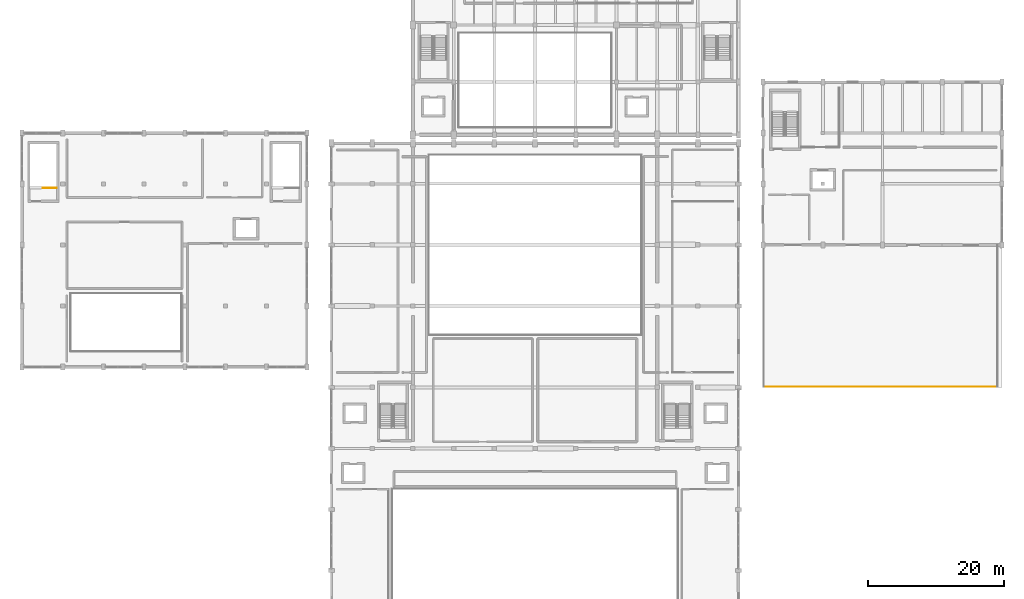
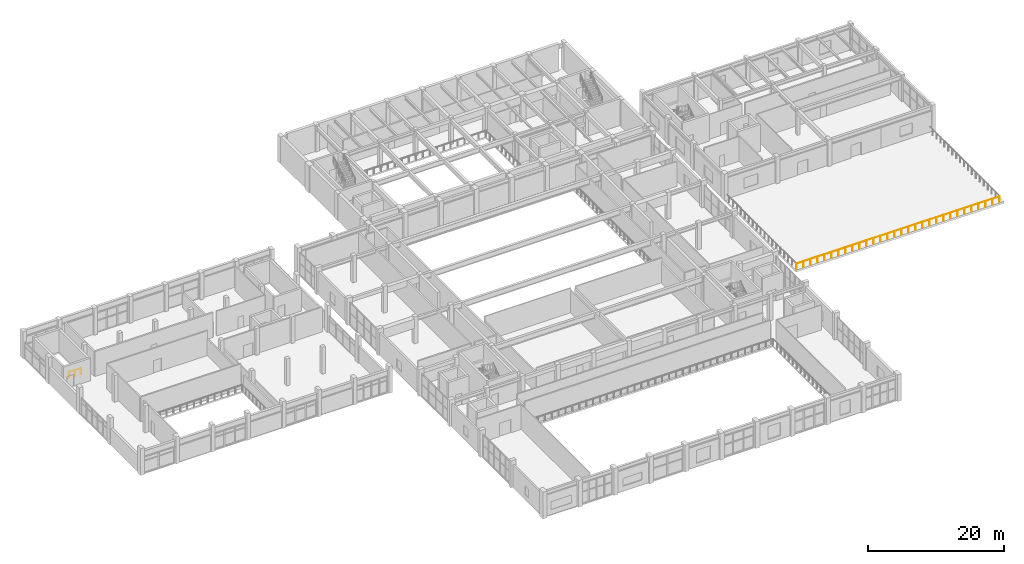
# One storey, part 58 of 62: 2 railings.
"""IFC4 building model written with IfcOpenShell, lengths in metres."""

from ifc_helpers import new_model, si_unit, direction, frame, origin, origin_2d, place, context, subcontext, project, spatial, circle, extrude, material, type_object, element, save


model = new_model("IFC4")

# Units and contexts
model_context = context("Model", 3, precision=1e-05, world=origin(), true_north=direction((0.0, 1.0)))
body_context = subcontext(model_context, "Body", "Model", "MODEL_VIEW")
ifc_project = project(units=[si_unit("LENGTHUNIT", "METRE"), si_unit("AREAUNIT", "SQUARE_METRE"), si_unit("VOLUMEUNIT", "CUBIC_METRE"), si_unit("PLANEANGLEUNIT", "RADIAN"), si_unit("MASSUNIT", "GRAM", prefix="KILO")], contexts=[model_context])

# Site, building, storey
site_placement = place(None, origin())
site = spatial("IfcSite", under=ifc_project, at=site_placement, CompositionType="ELEMENT")
building_placement = place(site_placement, origin())
building = spatial("IfcBuilding", under=site, at=building_placement, Name="Vaelkrest Opera House", CompositionType="ELEMENT")
storey_placement = place(building_placement, frame((0.0, 0.0, 19.800048828125)))
storey = spatial("IfcBuildingStorey", under=building, at=storey_placement, Name="L04", CompositionType="ELEMENT", Elevation=19.800048828125)

# Railings
ifc_material = material(Name="Dark bronze anodized aluminium", Category="aluminium")
railing_type_1 = type_object("IfcRailingType", Name="GR01", PredefinedType="GUARDRAIL", material=ifc_material)
railing_1_placement = place(storey_placement, frame((33.739990234375, -19.699951171875, 0.0)))
element("IfcRailing", 1, at=railing_1_placement, inside=storey, type_object=railing_type_1, Name="L04 Workshop Roof Garden guardrail seg 2", PredefinedType="GUARDRAIL", context=body_context, shape_type="SweptSolid", body=[
    extrude(circle(Radius=0.02392578125, at=origin_2d()), frame((0.0, 0.0, 1.076171875), z_axis=(1.0, 0.0, 0.0), x_axis=(0.0, 1.0, 0.0)), (0.0, 0.0, 1.0), 34.3701171875),
    extrude(circle(Radius=0.02099609375, at=origin_2d()), origin(), (0.0, 0.0, 1.0), 1.052001953125),
    extrude(circle(Radius=0.02099609375, at=origin_2d()), frame((1.18505859375, 0.0, 0.0)), (0.0, 0.0, 1.0), 1.052001953125),
    extrude(circle(Radius=0.02099609375, at=origin_2d()), frame((2.370361328125, 0.0, 0.0)), (0.0, 0.0, 1.0), 1.052001953125),
    extrude(circle(Radius=0.02099609375, at=origin_2d()), frame((3.555419921875, 0.0, 0.0)), (0.0, 0.0, 1.0), 1.052001953125),
    extrude(circle(Radius=0.02099609375, at=origin_2d()), frame((4.74072265625, 0.0, 0.0)), (0.0, 0.0, 1.0), 1.052001953125),
    extrude(circle(Radius=0.02099609375, at=origin_2d()), frame((5.92578125, 0.0, 0.0)), (0.0, 0.0, 1.0), 1.052001953125),
    extrude(circle(Radius=0.02099609375, at=origin_2d()), frame((7.111083984375, 0.0, 0.0)), (0.0, 0.0, 1.0), 1.052001953125),
    extrude(circle(Radius=0.02099609375, at=origin_2d()), frame((8.296142578125, 0.0, 0.0)), (0.0, 0.0, 1.0), 1.052001953125),
    extrude(circle(Radius=0.02099609375, at=origin_2d()), frame((9.4814453125, 0.0, 0.0)), (0.0, 0.0, 1.0), 1.052001953125),
    extrude(circle(Radius=0.02099609375, at=origin_2d()), frame((10.66650390625, 0.0, 0.0)), (0.0, 0.0, 1.0), 1.052001953125),
    extrude(circle(Radius=0.02099609375, at=origin_2d()), frame((11.851806640625, 0.0, 0.0)), (0.0, 0.0, 1.0), 1.052001953125),
    extrude(circle(Radius=0.02099609375, at=origin_2d()), frame((13.036865234375, 0.0, 0.0)), (0.0, 0.0, 1.0), 1.052001953125),
    extrude(circle(Radius=0.02099609375, at=origin_2d()), frame((14.22216796875, 0.0, 0.0)), (0.0, 0.0, 1.0), 1.052001953125),
    extrude(circle(Radius=0.02099609375, at=origin_2d()), frame((15.4072265625, 0.0, 0.0)), (0.0, 0.0, 1.0), 1.052001953125),
    extrude(circle(Radius=0.02099609375, at=origin_2d()), frame((16.592529296875, 0.0, 0.0)), (0.0, 0.0, 1.0), 1.052001953125),
    extrude(circle(Radius=0.02099609375, at=origin_2d()), frame((17.777587890625, 0.0, 0.0)), (0.0, 0.0, 1.0), 1.052001953125),
    extrude(circle(Radius=0.02099609375, at=origin_2d()), frame((18.962890625, 0.0, 0.0)), (0.0, 0.0, 1.0), 1.052001953125),
    extrude(circle(Radius=0.02099609375, at=origin_2d()), frame((20.14794921875, 0.0, 0.0)), (0.0, 0.0, 1.0), 1.052001953125),
    extrude(circle(Radius=0.02099609375, at=origin_2d()), frame((21.333251953125, 0.0, 0.0)), (0.0, 0.0, 1.0), 1.052001953125),
    extrude(circle(Radius=0.02099609375, at=origin_2d()), frame((22.518310546875, 0.0, 0.0)), (0.0, 0.0, 1.0), 1.052001953125),
    extrude(circle(Radius=0.02099609375, at=origin_2d()), frame((23.70361328125, 0.0, 0.0)), (0.0, 0.0, 1.0), 1.052001953125),
    extrude(circle(Radius=0.02099609375, at=origin_2d()), frame((24.888671875, 0.0, 0.0)), (0.0, 0.0, 1.0), 1.052001953125),
    extrude(circle(Radius=0.02099609375, at=origin_2d()), frame((26.073974609375, 0.0, 0.0)), (0.0, 0.0, 1.0), 1.052001953125),
    extrude(circle(Radius=0.02099609375, at=origin_2d()), frame((27.259033203125, 0.0, 0.0)), (0.0, 0.0, 1.0), 1.052001953125),
    extrude(circle(Radius=0.02099609375, at=origin_2d()), frame((28.4443359375, 0.0, 0.0)), (0.0, 0.0, 1.0), 1.052001953125),
    extrude(circle(Radius=0.02099609375, at=origin_2d()), frame((29.62939453125, 0.0, 0.0)), (0.0, 0.0, 1.0), 1.052001953125),
    extrude(circle(Radius=0.02099609375, at=origin_2d()), frame((30.814697265625, 0.0, 0.0)), (0.0, 0.0, 1.0), 1.052001953125),
    extrude(circle(Radius=0.02099609375, at=origin_2d()), frame((31.999755859375, 0.0, 0.0)), (0.0, 0.0, 1.0), 1.052001953125),
    extrude(circle(Radius=0.02099609375, at=origin_2d()), frame((33.18505859375, 0.0, 0.0)), (0.0, 0.0, 1.0), 1.052001953125),
    extrude(circle(Radius=0.02099609375, at=origin_2d()), frame((34.3701171875, 0.0, 0.0)), (0.0, 0.0, 1.0), 1.052001953125),
])
railing_type_2 = type_object("IfcRailingType", Name="GR02", PredefinedType="GUARDRAIL", material=ifc_material)
railing_2_placement = place(storey_placement, frame((-70.5, 9.60009765625, 0.0)))
element("IfcRailing", 2, at=railing_2_placement, inside=storey, type_object=railing_type_2, Name="L04 ST07 top well guard 1", PredefinedType="GUARDRAIL", context=body_context, shape_type="SweptSolid", body=[
    extrude(circle(Radius=0.02392578125, at=origin_2d()), frame((0.0, 0.0, 1.076171875), z_axis=(-1.0, 0.0, 0.0), x_axis=(0.0, -1.0, 0.0)), (0.0, 0.0, 1.0), 2.050048828125),
    extrude(circle(Radius=0.02099609375, at=origin_2d()), origin(), (0.0, 0.0, 1.0), 1.052001953125),
    extrude(circle(Radius=0.02099609375, at=origin_2d()), frame((-1.02490234375, 0.0, 0.0)), (0.0, 0.0, 1.0), 1.052001953125),
    extrude(circle(Radius=0.02099609375, at=origin_2d()), frame((-2.050048828125, 0.0, 0.0)), (0.0, 0.0, 1.0), 1.052001953125),
])

save(model, "model.ifc")
